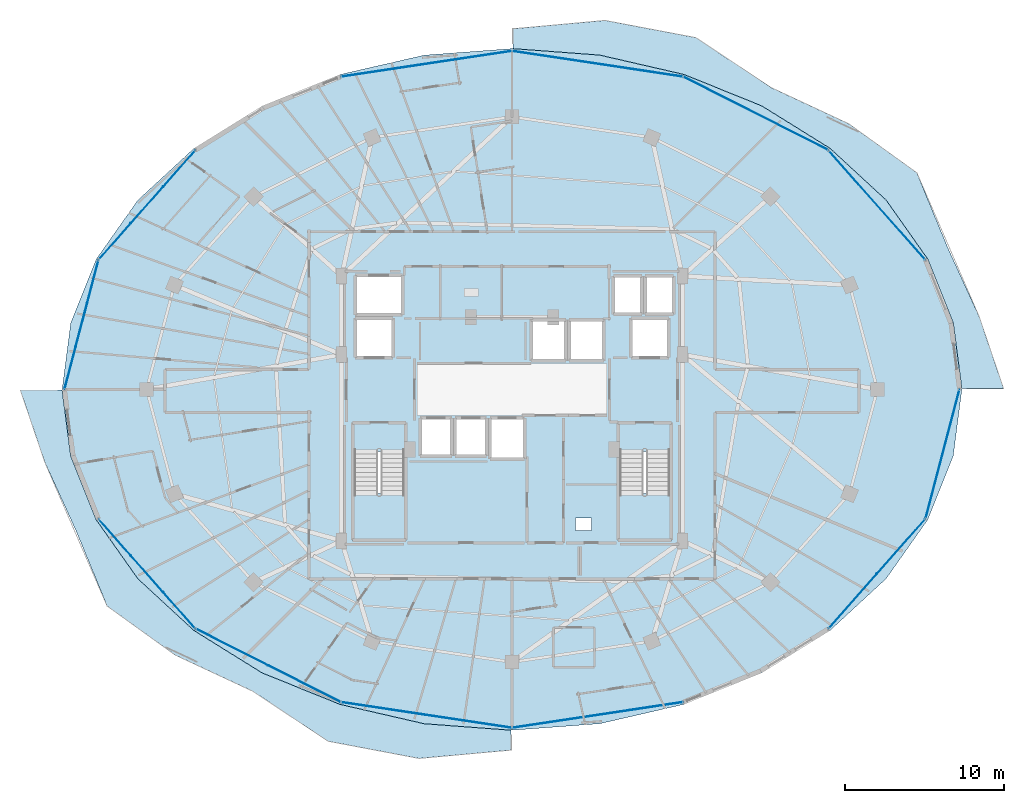
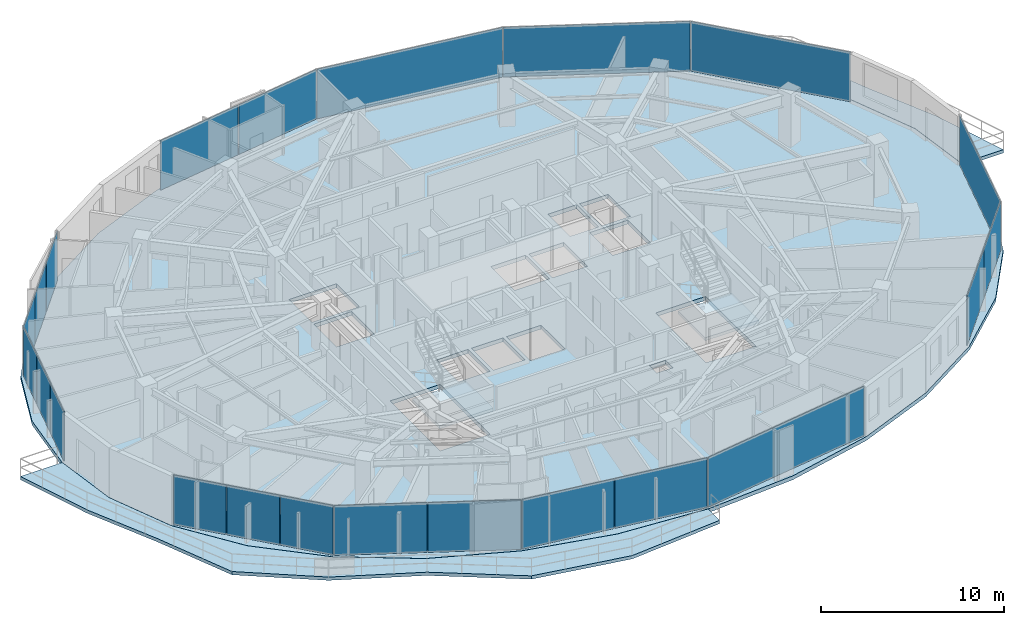
# One storey, part 22 of 32: 22 plates, 5 slabs, 6 elements without a shape of their own.
"""IFC4 building model written with IfcOpenShell, lengths in metres."""

from ifc_helpers import new_model, si_unit, direction, frame, origin, origin_2d, place, context, subcontext, project, spatial, polyline, rectangle, outline, extrude, material, layer, layer_set, type_object, element, aggregate, save


model = new_model("IFC4")

# Units and contexts
model_context = context("Model", 3, precision=1e-05, world=origin(), true_north=direction((0.0, 1.0)))
body_context = subcontext(model_context, "Body", "Model", "MODEL_VIEW")
ifc_project = project(units=[si_unit("LENGTHUNIT", "METRE"), si_unit("AREAUNIT", "SQUARE_METRE"), si_unit("VOLUMEUNIT", "CUBIC_METRE"), si_unit("PLANEANGLEUNIT", "RADIAN"), si_unit("MASSUNIT", "GRAM", prefix="KILO")], contexts=[model_context])

# Site, building, storey
site_placement = place(None, origin())
site = spatial("IfcSite", under=ifc_project, at=site_placement, CompositionType="ELEMENT")
building_placement = place(site_placement, origin())
building = spatial("IfcBuilding", under=site, at=building_placement, Name="Vorneva Point Tower", CompositionType="ELEMENT")
storey_placement = place(building_placement, frame((0.0, 0.0, 207.199951171875)))
storey = spatial("IfcBuildingStorey", under=building, at=storey_placement, Name="L56", CompositionType="ELEMENT", Elevation=207.199951171875)

# Curtain wall, plates
ifc_material_1 = material(Name="Pale anodised aluminium", Category="aluminium")
curtain_wall_type = type_object("IfcCurtainWallType", Name="CW-RES-SYS", PredefinedType="NOTDEFINED", material=ifc_material_1)
curtain_wall_1_placement = place(storey_placement, origin())
curtain_wall_1 = element("IfcCurtainWall", 1, at=curtain_wall_1_placement, inside=storey, type_object=curtain_wall_type, Name="L56 Unitised Curtain Wall CW-L56-R01", PredefinedType="NOTDEFINED")
ifc_material_2 = material(Name="Double low-e laminated glass IGU", Category="glass")
ifc_layer_1 = layer(ifc_material_2, 0.035888671875)
ifc_layer_set_1 = layer_set([ifc_layer_1], Name="Double low-e laminated glass IGU")
plate_type = type_object("IfcPlateType", Name="CW-PNL-VIS", PredefinedType="CURTAIN_PANEL", material=ifc_layer_set_1)
plate_1_placement = place(storey_placement, frame((61.021484375, 37.633544921875, -0.02001953125), z_axis=(0.0, 0.0, 1.0), x_axis=(-0.662110096764, 0.74940657841, 0.0)))
plate_1 = element("IfcPlate", 2, at=plate_1_placement, type_object=plate_type, Name="CW-L56-R01 Glazed Panel 01", PredefinedType="CURTAIN_PANEL", context=body_context, shape_type="SweptSolid", body=[
    extrude(rectangle(XDim=9.1923828125, YDim=0.035888671875, at=origin_2d()), origin(), (0.0, 0.0, 1.0), 3.330078125),
])
plate_2_placement = place(storey_placement, frame((53.38232421875, 43.410888671875, -0.02001953125), z_axis=(0.0, 0.0, 1.0), x_axis=(-0.892514983762, 0.451017742179, 0.0)))
plate_2 = element("IfcPlate", 3, at=plate_2_placement, type_object=plate_type, Name="CW-L56-R01 Glazed Panel 02", PredefinedType="CURTAIN_PANEL", context=body_context, shape_type="SweptSolid", body=[
    extrude(rectangle(XDim=10.21142578125, YDim=0.035888671875, at=origin_2d()), origin(), (0.0, 0.0, 1.0), 3.330078125),
])
plate_3_placement = place(storey_placement, frame((43.401611328125, 46.537353515625, -0.02001953125), z_axis=(0.0, 0.0, 1.0), x_axis=(-0.988873520862, 0.148758729957, 0.0)))
plate_3 = element("IfcPlate", 4, at=plate_3_placement, type_object=plate_type, Name="CW-L56-R01 Glazed Panel 03", PredefinedType="CURTAIN_PANEL", context=body_context, shape_type="SweptSolid", body=[
    extrude(rectangle(XDim=10.874755859375, YDim=0.035888671875, at=origin_2d()), origin(), (0.0, 0.0, 1.0), 3.330078125),
])
plate_4_placement = place(storey_placement, frame((35.29931640625, 46.943603515625, -0.02001953125), z_axis=(0.0, 0.0, 1.0), x_axis=(-0.988873520862, -0.148758729957, 0.0)))
plate_4 = element("IfcPlate", 5, at=plate_4_placement, type_object=plate_type, Name="CW-L56-R01 Glazed Panel 04A", PredefinedType="CURTAIN_PANEL", context=body_context, shape_type="SweptSolid", body=[
    extrude(rectangle(XDim=5.412353515625, YDim=0.035888671875, at=origin_2d()), origin(), (0.0, 0.0, 1.0), 3.330078125),
])
plate_5_placement = place(storey_placement, frame((29.897705078125, 46.131103515625, -0.02001953125), z_axis=(0.0, 0.0, 1.0), x_axis=(-0.988873520862, -0.148758729957, 0.0)))
plate_5 = element("IfcPlate", 6, at=plate_5_placement, type_object=plate_type, Name="CW-L56-R01 Glazed Panel 04B", PredefinedType="CURTAIN_PANEL", context=body_context, shape_type="SweptSolid", body=[
    extrude(rectangle(XDim=5.412353515625, YDim=0.035888671875, at=origin_2d()), origin(), (0.0, 0.0, 1.0), 3.330078125),
])
aggregate(curtain_wall_1, [plate_1, plate_2, plate_3, plate_4, plate_5])

curtain_wall_2_placement = place(storey_placement, origin())
curtain_wall_2 = element("IfcCurtainWall", 7, at=curtain_wall_2_placement, inside=storey, type_object=curtain_wall_type, Name="L56 Unitised Curtain Wall CW-L56-R02", PredefinedType="NOTDEFINED")
plate_6_placement = place(storey_placement, frame((17.0185546875, 39.9423828125, -0.02001953125), z_axis=(0.0, 0.0, 1.0), x_axis=(-0.662110096764, -0.74940657841, 0.0)))
plate_6 = element("IfcPlate", 8, at=plate_6_placement, type_object=plate_type, Name="CW-L56-R02 Glazed Panel 01A", PredefinedType="CURTAIN_PANEL", context=body_context, shape_type="SweptSolid", body=[
    extrude(rectangle(XDim=3.03076171875, YDim=0.035888671875, at=origin_2d()), origin(), (0.0, 0.0, 1.0), 3.330078125),
])
plate_7_placement = place(storey_placement, frame((14.978759765625, 37.633544921875, -0.02001953125), z_axis=(0.0, 0.0, 1.0), x_axis=(-0.662110096764, -0.74940657841, 0.0)))
plate_7 = element("IfcPlate", 9, at=plate_7_placement, type_object=plate_type, Name="CW-L56-R02 Glazed Panel 01B", PredefinedType="CURTAIN_PANEL", context=body_context, shape_type="SweptSolid", body=[
    extrude(rectangle(XDim=3.03076171875, YDim=0.035888671875, at=origin_2d()), origin(), (0.0, 0.0, 1.0), 3.330078125),
])
plate_8_placement = place(storey_placement, frame((12.938720703125, 35.32470703125, -0.02001953125), z_axis=(0.0, 0.0, 1.0), x_axis=(-0.662110096764, -0.74940657841, 0.0)))
plate_8 = element("IfcPlate", 10, at=plate_8_placement, type_object=plate_type, Name="CW-L56-R02 Glazed Panel 01C", PredefinedType="CURTAIN_PANEL", context=body_context, shape_type="SweptSolid", body=[
    extrude(rectangle(XDim=3.03076171875, YDim=0.035888671875, at=origin_2d()), origin(), (0.0, 0.0, 1.0), 3.330078125),
])
plate_9_placement = place(storey_placement, frame((11.560791015625, 32.80859375, -0.02001953125), z_axis=(0.0, 0.0, 1.0), x_axis=(-0.254365646708, -0.967108121036, 0.0)))
plate_9 = element("IfcPlate", 11, at=plate_9_placement, type_object=plate_type, Name="CW-L56-R02 Glazed Panel 02A", PredefinedType="CURTAIN_PANEL", context=body_context, shape_type="SweptSolid", body=[
    extrude(rectangle(XDim=2.76611328125, YDim=0.035888671875, at=origin_2d()), origin(), (0.0, 0.0, 1.0), 3.330078125),
])
plate_10_placement = place(storey_placement, frame((10.844482421875, 30.085205078125, -0.02001953125), z_axis=(0.0, 0.0, 1.0), x_axis=(-0.254365646708, -0.967108121036, 0.0)))
plate_10 = element("IfcPlate", 12, at=plate_10_placement, type_object=plate_type, Name="CW-L56-R02 Glazed Panel 02B", PredefinedType="CURTAIN_PANEL", context=body_context, shape_type="SweptSolid", body=[
    extrude(rectangle(XDim=2.76611328125, YDim=0.035888671875, at=origin_2d()), origin(), (0.0, 0.0, 1.0), 3.330078125),
])
plate_11_placement = place(storey_placement, frame((10.128173828125, 27.36181640625, -0.02001953125), z_axis=(0.0, 0.0, 1.0), x_axis=(-0.254365646708, -0.967108121036, 0.0)))
plate_11 = element("IfcPlate", 13, at=plate_11_placement, type_object=plate_type, Name="CW-L56-R02 Glazed Panel 02C", PredefinedType="CURTAIN_PANEL", context=body_context, shape_type="SweptSolid", body=[
    extrude(rectangle(XDim=2.76611328125, YDim=0.035888671875, at=origin_2d()), origin(), (0.0, 0.0, 1.0), 3.330078125),
])
aggregate(curtain_wall_2, [plate_6, plate_7, plate_8, plate_9, plate_10, plate_11])

curtain_wall_3_placement = place(storey_placement, origin())
curtain_wall_3 = element("IfcCurtainWall", 14, at=curtain_wall_3_placement, inside=storey, type_object=curtain_wall_type, Name="L56 Unitised Curtain Wall CW-L56-R03", PredefinedType="NOTDEFINED")
plate_12_placement = place(storey_placement, frame((12.938720703125, 16.67529296875, -0.02001953125), z_axis=(0.0, 0.0, 1.0), x_axis=(0.662110096764, -0.74940657841, 0.0)))
plate_12 = element("IfcPlate", 15, at=plate_12_placement, type_object=plate_type, Name="CW-L56-R03 Glazed Panel 01A", PredefinedType="CURTAIN_PANEL", context=body_context, shape_type="SweptSolid", body=[
    extrude(rectangle(XDim=3.03076171875, YDim=0.035888671875, at=origin_2d()), origin(), (0.0, 0.0, 1.0), 3.330078125),
])
plate_13_placement = place(storey_placement, frame((14.978759765625, 14.366455078125, -0.02001953125), z_axis=(0.0, 0.0, 1.0), x_axis=(0.662110096764, -0.74940657841, 0.0)))
plate_13 = element("IfcPlate", 16, at=plate_13_placement, type_object=plate_type, Name="CW-L56-R03 Glazed Panel 01B", PredefinedType="CURTAIN_PANEL", context=body_context, shape_type="SweptSolid", body=[
    extrude(rectangle(XDim=3.03076171875, YDim=0.035888671875, at=origin_2d()), origin(), (0.0, 0.0, 1.0), 3.330078125),
])
plate_14_placement = place(storey_placement, frame((17.0185546875, 12.0576171875, -0.02001953125), z_axis=(0.0, 0.0, 1.0), x_axis=(0.662110096764, -0.74940657841, 0.0)))
plate_14 = element("IfcPlate", 17, at=plate_14_placement, type_object=plate_type, Name="CW-L56-R03 Glazed Panel 01C", PredefinedType="CURTAIN_PANEL", context=body_context, shape_type="SweptSolid", body=[
    extrude(rectangle(XDim=3.03076171875, YDim=0.035888671875, at=origin_2d()), origin(), (0.0, 0.0, 1.0), 3.330078125),
])
plate_15_placement = place(storey_placement, frame((20.327880859375, 9.746337890625, -0.02001953125), z_axis=(0.0, 0.0, 1.0), x_axis=(0.892514983762, -0.451017742179, 0.0)))
plate_15 = element("IfcPlate", 18, at=plate_15_placement, type_object=plate_type, Name="CW-L56-R03 Glazed Panel 02A", PredefinedType="CURTAIN_PANEL", context=body_context, shape_type="SweptSolid", body=[
    extrude(rectangle(XDim=5.080810546875, YDim=0.035888671875, at=origin_2d()), origin(), (0.0, 0.0, 1.0), 3.330078125),
])
plate_16_placement = place(storey_placement, frame((24.9072265625, 7.43212890625, -0.02001953125), z_axis=(0.0, 0.0, 1.0), x_axis=(0.892514983762, -0.451017742179, 0.0)))
plate_16 = element("IfcPlate", 19, at=plate_16_placement, type_object=plate_type, Name="CW-L56-R03 Glazed Panel 02B", PredefinedType="CURTAIN_PANEL", context=body_context, shape_type="SweptSolid", body=[
    extrude(rectangle(XDim=5.080810546875, YDim=0.035888671875, at=origin_2d()), origin(), (0.0, 0.0, 1.0), 3.330078125),
])
plate_17_placement = place(storey_placement, frame((29.897705078125, 5.868896484375, -0.02001953125), z_axis=(0.0, 0.0, 1.0), x_axis=(0.988873520862, -0.148758729957, 0.0)))
plate_17 = element("IfcPlate", 20, at=plate_17_placement, type_object=plate_type, Name="CW-L56-R03 Glazed Panel 03A", PredefinedType="CURTAIN_PANEL", context=body_context, shape_type="SweptSolid", body=[
    extrude(rectangle(XDim=5.412353515625, YDim=0.035888671875, at=origin_2d()), origin(), (0.0, 0.0, 1.0), 3.330078125),
])
plate_18_placement = place(storey_placement, frame((35.29931640625, 5.056396484375, -0.02001953125), z_axis=(0.0, 0.0, 1.0), x_axis=(0.988873520862, -0.148758729957, 0.0)))
plate_18 = element("IfcPlate", 21, at=plate_18_placement, type_object=plate_type, Name="CW-L56-R03 Glazed Panel 03B", PredefinedType="CURTAIN_PANEL", context=body_context, shape_type="SweptSolid", body=[
    extrude(rectangle(XDim=5.412353515625, YDim=0.035888671875, at=origin_2d()), origin(), (0.0, 0.0, 1.0), 3.330078125),
])
plate_19_placement = place(storey_placement, frame((43.401611328125, 5.462646484375, -0.02001953125), z_axis=(0.0, 0.0, 1.0), x_axis=(0.988873520862, 0.148758729957, 0.0)))
plate_19 = element("IfcPlate", 22, at=plate_19_placement, type_object=plate_type, Name="CW-L56-R03 Glazed Panel 04", PredefinedType="CURTAIN_PANEL", context=body_context, shape_type="SweptSolid", body=[
    extrude(rectangle(XDim=10.874755859375, YDim=0.035888671875, at=origin_2d()), origin(), (0.0, 0.0, 1.0), 3.330078125),
])
aggregate(curtain_wall_3, [plate_12, plate_13, plate_14, plate_15, plate_16, plate_17, plate_18, plate_19])

curtain_wall_4_placement = place(storey_placement, origin())
curtain_wall_4 = element("IfcCurtainWall", 23, at=curtain_wall_4_placement, inside=storey, type_object=curtain_wall_type, Name="L56 Unitised Curtain Wall CW-L56-R04", PredefinedType="NOTDEFINED")
plate_20_placement = place(storey_placement, frame((59.491455078125, 12.635009765625, -0.02001953125), z_axis=(0.0, 0.0, 1.0), x_axis=(0.662110096764, 0.74940657841, 0.0)))
plate_20 = element("IfcPlate", 24, at=plate_20_placement, type_object=plate_type, Name="CW-L56-R04 Glazed Panel 01A", PredefinedType="CURTAIN_PANEL", context=body_context, shape_type="SweptSolid", body=[
    extrude(rectangle(XDim=4.5712890625, YDim=0.035888671875, at=origin_2d()), origin(), (0.0, 0.0, 1.0), 3.330078125),
])
plate_21_placement = place(storey_placement, frame((62.55126953125, 16.09814453125, -0.02001953125), z_axis=(0.0, 0.0, 1.0), x_axis=(0.662110096764, 0.74940657841, 0.0)))
plate_21 = element("IfcPlate", 25, at=plate_21_placement, type_object=plate_type, Name="CW-L56-R04 Glazed Panel 01B", PredefinedType="CURTAIN_PANEL", context=body_context, shape_type="SweptSolid", body=[
    extrude(rectangle(XDim=4.5712890625, YDim=0.035888671875, at=origin_2d()), origin(), (0.0, 0.0, 1.0), 3.330078125),
])
plate_22_placement = place(storey_placement, frame((65.155517578125, 21.914794921875, -0.02001953125), z_axis=(0.0, 0.0, 1.0), x_axis=(0.254365646708, 0.967108121036, 0.0)))
plate_22 = element("IfcPlate", 26, at=plate_22_placement, type_object=plate_type, Name="CW-L56-R04 Glazed Panel 02", PredefinedType="CURTAIN_PANEL", context=body_context, shape_type="SweptSolid", body=[
    extrude(rectangle(XDim=8.398193359375, YDim=0.035888671875, at=origin_2d()), origin(), (0.0, 0.0, 1.0), 3.330078125),
])
aggregate(curtain_wall_4, [plate_20, plate_21, plate_22])

# Slabs
ifc_material_3 = material(Name="Concrete B50 (C40/50)", Category="concrete")
ifc_layer_2 = layer(ifc_material_3, 0.219970703125)
ifc_layer_set_2 = layer_set([ifc_layer_2], Name="Concrete B50 (C40/50)")
slab_type_1 = type_object("IfcSlabType", Name="SLB-BAL-220", PredefinedType="FLOOR", material=ifc_layer_set_2)
slab_1_placement = place(storey_placement, frame((0.0, 0.0, -0.219970703125)))
element("IfcSlab", 27, at=slab_1_placement, inside=storey, type_object=slab_type_1, Name="L56 Cantilevered Wave Balcony NE", PredefinedType="FLOOR", context=body_context, shape_type="SweptSolid", body=[
    extrude(outline(polyline([(38.050048828125, 48.75439453125), (38.050048828125, 47.500244140625), (43.537109375, 47.0908203125), (43.537353515625, 47.0908203125), (43.53759765625, 47.0908203125), (48.861572265625, 45.8671875), (48.86181640625, 45.8671875), (48.862060546875, 45.8671875), (53.7685546875, 43.88037109375), (53.768798828125, 43.880126953125), (53.769287109375, 43.8798828125), (58.06982421875, 41.206298828125), (58.070068359375, 41.2060546875), (58.0703125, 41.205810546875), (61.599853515625, 37.94775390625), (61.60009765625, 37.947509765625), (61.600341796875, 37.947021484375), (64.222900390625, 34.22998046875), (64.22314453125, 34.2294921875), (64.223388671875, 34.229248046875), (65.83837890625, 30.19580078125), (65.83837890625, 30.195556640625), (65.838623046875, 30.1953125), (65.838623046875, 30.19482421875), (66.37744140625, 26.050048828125), (69.012939453125, 26.050048828125), (67.461669921875, 30.62158203125), (65.496337890625, 34.92578125), (63.544677734375, 39.662353515625), (59.2451171875, 42.757080078125), (54.355712890625, 45.039306640625), (49.592529296875, 48.1962890625), (43.8671875, 49.280029296875), (38.050048828125, 48.75439453125)])), origin(), (0.0, 0.0, 1.0), 0.219970703125),
])
slab_2_placement = place(storey_placement, frame((0.0, 0.0, -0.219970703125)))
element("IfcSlab", 28, at=slab_2_placement, inside=storey, type_object=slab_type_1, Name="L56 Cantilevered Wave Balcony SW", PredefinedType="FLOOR", context=body_context, shape_type="SweptSolid", body=[
    extrude(outline(polyline([(37.949951171875, 3.24560546875), (37.949951171875, 4.499755859375), (32.462890625, 4.9091796875), (32.462646484375, 4.9091796875), (32.46240234375, 4.9091796875), (27.138427734375, 6.1328125), (27.13818359375, 6.1328125), (27.137939453125, 6.1328125), (22.2314453125, 8.11962890625), (22.231201171875, 8.119873046875), (22.230712890625, 8.1201171875), (17.93017578125, 10.793701171875), (17.929931640625, 10.7939453125), (17.9296875, 10.794189453125), (14.400146484375, 14.05224609375), (14.39990234375, 14.052490234375), (14.399658203125, 14.052978515625), (11.777099609375, 17.77001953125), (11.77685546875, 17.7705078125), (11.776611328125, 17.770751953125), (10.16162109375, 21.80419921875), (10.16162109375, 21.804443359375), (10.161376953125, 21.8046875), (10.161376953125, 21.80517578125), (9.62255859375, 25.949951171875), (6.987060546875, 25.949951171875), (8.538330078125, 21.37841796875), (10.503662109375, 17.07421875), (12.455322265625, 12.337646484375), (16.7548828125, 9.242919921875), (21.644287109375, 6.960693359375), (26.407470703125, 3.8037109375), (32.1328125, 2.719970703125), (37.949951171875, 3.24560546875)])), origin(), (0.0, 0.0, 1.0), 0.219970703125),
])

# Stair, slab
stair_type = type_object("IfcStairType", Name="ST-DOG-1500", PredefinedType="HALF_TURN_STAIR", material=ifc_material_3)
stair_1_placement = place(storey_placement, origin())
stair_1 = element("IfcStair", 29, at=stair_1_placement, inside=storey, type_object=stair_type, Name="L56 ST1", PredefinedType="HALF_TURN_STAIR")
ifc_layer_3 = layer(ifc_material_3, 0.199951171875)
ifc_layer_set_3 = layer_set([ifc_layer_3], Name="Concrete B50 (C40/50)")
slab_type_2 = type_object("IfcSlabType", Name="SLB-LND-200", PredefinedType="LANDING", material=ifc_layer_set_3)
slab_3_placement = place(storey_placement, frame((0.0, 0.0, 1.574951171875)))
slab_3 = element("IfcSlab", 30, at=slab_3_placement, type_object=slab_type_2, Name="ST1 landing 1", PredefinedType="LANDING", context=body_context, shape_type="SweptSolid", body=[
    extrude(outline(polyline([(27.929931640625, 16.47998046875), (31.320068359375, 16.47998046875), (31.320068359375, 19.43994140625), (27.929931640625, 19.43994140625), (27.929931640625, 16.47998046875)])), origin(), (0.0, 0.0, 1.0), 0.2001953125),
])
aggregate(stair_1, [slab_3])

stair_2_placement = place(storey_placement, origin())
stair_2 = element("IfcStair", 31, at=stair_2_placement, inside=storey, type_object=stair_type, Name="L56 ST2", PredefinedType="HALF_TURN_STAIR")
slab_4_placement = place(storey_placement, frame((0.0, 0.0, 1.574951171875)))
slab_4 = element("IfcSlab", 32, at=slab_4_placement, type_object=slab_type_2, Name="ST2 landing 1", PredefinedType="LANDING", context=body_context, shape_type="SweptSolid", body=[
    extrude(outline(polyline([(44.679931640625, 16.47998046875), (48.070068359375, 16.47998046875), (48.070068359375, 19.43994140625), (44.679931640625, 19.43994140625), (44.679931640625, 16.47998046875)])), origin(), (0.0, 0.0, 1.0), 0.2001953125),
])
aggregate(stair_2, [slab_4])

# Slab
ifc_layer_4 = layer(ifc_material_3, 0.260009765625)
ifc_layer_set_4 = layer_set([ifc_layer_4], Name="Concrete B50 (C40/50)")
slab_type_3 = type_object("IfcSlabType", Name="SLB-TYP-260", PredefinedType="FLOOR", material=ifc_layer_set_4)
slab_5_placement = place(storey_placement, frame((0.0, 0.0, -0.260009765625)))
element("IfcSlab", 33, at=slab_5_placement, inside=storey, type_object=slab_type_3, Name="L56 Structural Floor Plate", PredefinedType="FLOOR", context=body_context, shape_type="SweptSolid", body=[
    extrude(outline(polyline([(66.3798828125, 26.0), (65.834716796875, 30.1943359375), (64.2197265625, 34.227783203125), (61.59716796875, 37.94482421875), (58.067626953125, 41.202880859375), (53.76708984375, 43.876708984375), (48.860595703125, 45.86328125), (43.53662109375, 47.0869140625), (38.0, 47.5), (32.46337890625, 47.0869140625), (27.139404296875, 45.86328125), (22.23291015625, 43.876708984375), (17.932373046875, 41.202880859375), (14.40283203125, 37.94482421875), (11.7802734375, 34.227783203125), (10.165283203125, 30.1943359375), (9.6201171875, 26.0), (10.165283203125, 21.8056640625), (11.7802734375, 17.772216796875), (14.40283203125, 14.05517578125), (17.932373046875, 10.797119140625), (22.23291015625, 8.123291015625), (27.139404296875, 6.13671875), (32.46337890625, 4.9130859375), (38.0, 4.5), (43.53662109375, 4.9130859375), (48.860595703125, 6.13671875), (53.76708984375, 8.123291015625), (58.067626953125, 10.797119140625), (61.59716796875, 14.05517578125), (64.2197265625, 17.772216796875), (65.834716796875, 21.8056640625), (66.3798828125, 26.0)]), holes=[polyline([(32.199951171875, 21.800048828125), (34.199951171875, 21.800048828125), (34.199951171875, 24.199951171875), (32.199951171875, 24.199951171875), (32.199951171875, 21.800048828125)]), polyline([(34.39990234375, 21.800048828125), (36.39990234375, 21.800048828125), (36.39990234375, 24.199951171875), (34.39990234375, 24.199951171875), (34.39990234375, 21.800048828125)]), polyline([(36.60009765625, 21.60009765625), (38.800048828125, 21.60009765625), (38.800048828125, 24.199951171875), (36.60009765625, 24.199951171875), (36.60009765625, 21.60009765625)]), polyline([(39.199951171875, 27.800048828125), (41.39990234375, 27.800048828125), (41.39990234375, 30.39990234375), (39.199951171875, 30.39990234375), (39.199951171875, 27.800048828125)]), polyline([(41.60009765625, 27.800048828125), (43.800048828125, 27.800048828125), (43.800048828125, 30.39990234375), (41.60009765625, 30.39990234375), (41.60009765625, 27.800048828125)]), polyline([(44.39990234375, 30.739990234375), (46.199951171875, 30.739990234375), (46.199951171875, 33.159912109375), (44.39990234375, 33.159912109375), (44.39990234375, 30.739990234375)]), polyline([(46.39990234375, 30.739990234375), (48.199951171875, 30.739990234375), (48.199951171875, 33.159912109375), (46.39990234375, 33.159912109375), (46.39990234375, 30.739990234375)]), polyline([(28.10009765625, 28.0), (30.5, 28.0), (30.5, 30.5), (28.10009765625, 30.5), (28.10009765625, 28.0)]), polyline([(45.5, 28.0), (47.89990234375, 28.0), (47.89990234375, 30.5), (45.5, 30.5), (45.5, 28.0)]), polyline([(28.10009765625, 30.699951171875), (31.10009765625, 30.699951171875), (31.10009765625, 33.199951171875), (28.10009765625, 33.199951171875), (28.10009765625, 30.699951171875)]), polyline([(28.050048828125, 16.60009765625), (31.199951171875, 16.60009765625), (31.199951171875, 22.080078125), (28.050048828125, 22.080078125), (28.050048828125, 16.60009765625)]), polyline([(44.800048828125, 16.60009765625), (47.949951171875, 16.60009765625), (47.949951171875, 22.080078125), (44.800048828125, 22.080078125), (44.800048828125, 16.60009765625)]), polyline([(42.0, 17.10009765625), (43.0, 17.10009765625), (43.0, 17.89990234375), (42.0, 17.89990234375), (42.0, 17.10009765625)])]), origin(), (0.0, 0.0, 1.0), 0.260009765625),
])

save(model, "model.ifc")
